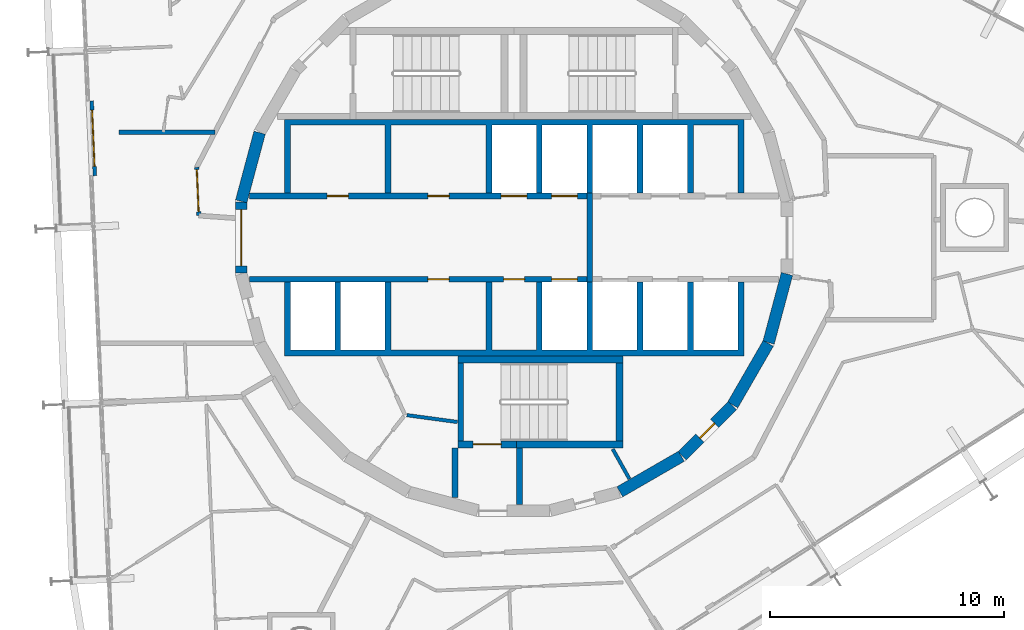
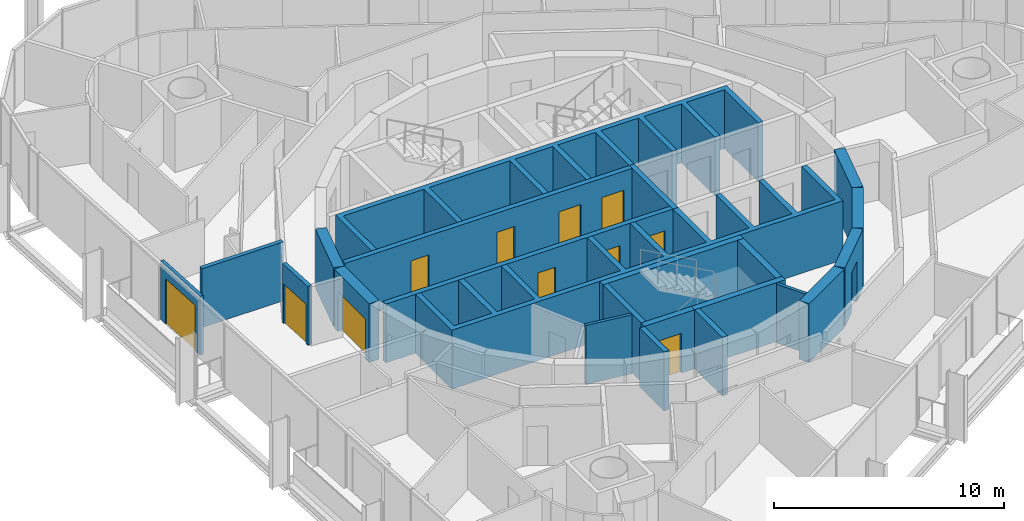
# One storey, part 13 of 18: 23 walls, 12 doors, 12 openings.
"""IFC4 building model written with IfcOpenShell, lengths in metres."""

from ifc_helpers import new_model, si_unit, direction, frame, frame_2d, origin, place, context, subcontext, project, spatial, polyline, rectangle, outline, extrude, material, layer, layer_set, type_object, element, fill, save


model = new_model("IFC4")

# Units and contexts
model_context = context("Model", 3, precision=1e-05, world=origin(), true_north=direction((0.0, 1.0)))
body_context = subcontext(model_context, "Body", "Model", "MODEL_VIEW")
ifc_project = project(units=[si_unit("LENGTHUNIT", "METRE"), si_unit("AREAUNIT", "SQUARE_METRE"), si_unit("VOLUMEUNIT", "CUBIC_METRE"), si_unit("PLANEANGLEUNIT", "RADIAN"), si_unit("MASSUNIT", "GRAM", prefix="KILO")], contexts=[model_context])

# Site, building, storey
site_placement = place(None, origin())
site = spatial("IfcSite", under=ifc_project, at=site_placement, CompositionType="ELEMENT")
building_placement = place(site_placement, origin())
building = spatial("IfcBuilding", under=site, at=building_placement, Name="Spindle Arch Residences", CompositionType="ELEMENT")
storey_placement = place(building_placement, frame((0.0, 0.0, 230.199951171875)))
storey = spatial("IfcBuildingStorey", under=building, at=storey_placement, Name="L58", CompositionType="ELEMENT", Elevation=230.199951171875)

# Wall
ifc_material_1 = material(Name="Concrete C50/60", Category="concrete")
ifc_layer_1 = layer(ifc_material_1, 0.5)
ifc_layer_set_1 = layer_set([ifc_layer_1], Name="Core outline wall 500")
wall_type_1 = type_object("IfcWallType", Name="Core outline wall 500", PredefinedType="SHEAR", material=ifc_layer_set_1)
wall_1_placement = place(storey_placement, frame((4.510498046875, -10.84521484375, 0.0), z_axis=(0.0, 0.0, 1.0), x_axis=(0.865975092491, 0.500087131594, 0.0)))
element("IfcWall", 1, at=wall_1_placement, inside=storey, type_object=wall_type_1, Name="Core outline wall 2", PredefinedType="SHEAR", context=body_context, shape_type="SweptSolid", body=[
    extrude(rectangle(XDim=3.03271484375, YDim=0.5, at=frame_2d((1.516357421875, 0.0))), origin(), (0.0, 0.0, 1.0), 3.1201171875),
])

# Wall, opening, door
wall_2_placement = place(storey_placement, frame((7.163818359375, -9.30810546875, 0.0), z_axis=(0.0, 0.0, 1.0), x_axis=(0.707106781187, 0.707106781187, 0.0)))
wall_2 = element("IfcWall", 2, at=wall_2_placement, inside=storey, type_object=wall_type_1, Name="Core outline wall 3", PredefinedType="SHEAR", context=body_context, shape_type="SweptSolid", body=[
    extrude(rectangle(XDim=3.032470703125, YDim=0.5, at=frame_2d((1.51611328125, 0.0))), origin(), (0.0, 0.0, 1.0), 3.1201171875),
])
opening_1_placement = place(wall_2_placement, frame((1.06640625, 0.0, 0.0)))
opening_1 = element("IfcOpeningElement", 3, at=opening_1_placement, cuts=wall_2, Name="Opening R6A1-WD08", PredefinedType="OPENING", context=body_context, shape_type="SweptSolid", body=[
    extrude(rectangle(XDim=0.89990234375, YDim=2.10009765625, at=frame_2d((0.449951171875, 1.050048828125))), frame((0.0, 0.260009765625, 0.0), z_axis=(0.0, -1.0, 0.0), x_axis=(1.0, 0.0, 0.0)), (0.0, 0.0, 1.0), 0.52001953125),
])
ifc_material_2 = material(Name="Steel, fire-resisting door", Category="steel")
door_type_1 = type_object("IfcDoorType", Name="Service room door 900x2100", OperationType="SINGLE_SWING_LEFT", PredefinedType="DOOR", material=ifc_material_2)
door_1_placement = place(opening_1_placement, origin())
door_1 = element("IfcDoor", 4, at=door_1_placement, inside=storey, type_object=door_type_1, Name="Service room door R6A1-WD08", OperationType="SINGLE_SWING_RIGHT", OverallHeight=2.10009765625, OverallWidth=0.89990234375, PredefinedType="DOOR", context=body_context, shape_type="SweptSolid", body=[
    extrude(rectangle(XDim=0.89990234375, YDim=2.10009765625, at=frame_2d((0.449951171875, 1.050048828125))), frame((0.0, 0.02490234375, 0.0), z_axis=(0.0, -1.0, 0.0), x_axis=(1.0, 0.0, 0.0)), (0.0, 0.0, 1.0), 0.050048828125),
])
fill(opening_1, door_1)

# Walls
for number, where, z_axis, x_axis, name in (
    (5, (9.32861328125, -7.13671875, 0.0), (0.0, 0.0, 1.0), (0.500087131594, 0.865975092491, 0.0), "Core outline wall 4"),
    (6, (10.858154296875, -4.479248046875, 0.0), (0.0, 0.0, 1.0), (0.258734743916, 0.965948410781, 0.0), "Core outline wall 5"),
    (7, (-10.858154296875, 4.479248046875, 0.0), (0.0, 0.0, 1.0), (-0.258734743916, -0.965948410781, 0.0), "Core outline wall 17"),
):
    element("IfcWall", number, at=place(storey_placement, frame(where, z_axis=z_axis, x_axis=x_axis)), inside=storey, type_object=wall_type_1, Name=name, PredefinedType="SHEAR", context=body_context, shape_type="SweptSolid", body=[
        extrude(rectangle(XDim=3.03271484375, YDim=0.5, at=frame_2d((1.516357421875, 0.0))), origin(), (0.0, 0.0, 1.0), 3.1201171875),
    ])

# Wall, opening, door
wall_3_placement = place(storey_placement, frame((-11.647216796875, 1.516357421875, 0.0), z_axis=(0.0, 0.0, 1.0), x_axis=(0.0, -1.0, 0.0)))
wall_3 = element("IfcWall", 8, at=wall_3_placement, inside=storey, type_object=wall_type_1, Name="Core outline wall 18", PredefinedType="SHEAR", context=body_context, shape_type="SweptSolid", body=[
    extrude(rectangle(XDim=3.03271484375, YDim=0.5, at=frame_2d((1.516357421875, 0.0))), origin(), (0.0, 0.0, 1.0), 3.1201171875),
])
opening_2_placement = place(wall_3_placement, frame((0.31640625, 0.0, 0.0)))
opening_2 = element("IfcOpeningElement", 9, at=opening_2_placement, cuts=wall_3, Name="Opening R6A1-LE01", PredefinedType="OPENING", context=body_context, shape_type="SweptSolid", body=[
    extrude(rectangle(XDim=2.39990234375, YDim=2.10009765625, at=frame_2d((1.199951171875, 1.050048828125))), frame((0.0, 0.260009765625, 0.0), z_axis=(0.0, -1.0, 0.0), x_axis=(1.0, 0.0, 0.0)), (0.0, 0.0, 1.0), 0.52001953125),
])
ifc_material_3 = material(Name="Steel, fire-resisting door", Category="steel")
door_type_2 = type_object("IfcDoorType", Name="Lift lobby entrance door 2400x2100", OperationType="DOUBLE_DOOR_SINGLE_SWING", PredefinedType="DOOR", material=ifc_material_3)
door_2_placement = place(opening_2_placement, origin())
door_2 = element("IfcDoor", 10, at=door_2_placement, inside=storey, type_object=door_type_2, Name="Lift lobby entrance door R6A1-LE01", OperationType="DOUBLE_DOOR_SINGLE_SWING", OverallHeight=2.10009765625, OverallWidth=2.39990234375, PredefinedType="DOOR", context=body_context, shape_type="SweptSolid", body=[
    extrude(rectangle(XDim=2.39990234375, YDim=2.10009765625, at=frame_2d((1.199951171875, 1.050048828125))), frame((0.0, 0.02490234375, 0.0), z_axis=(0.0, -1.0, 0.0), x_axis=(1.0, 0.0, 0.0)), (0.0, 0.0, 1.0), 0.050048828125),
])
fill(opening_2, door_2)

# Wall
ifc_material_4 = material(Name="Concrete C40/50", Category="concrete")
ifc_layer_2 = layer(ifc_material_4, 0.25)
ifc_layer_set_2 = layer_set([ifc_layer_2], Name="Fire-lift lobby wall 250")
wall_type_2 = type_object("IfcWallType", Name="Fire-lift lobby wall 250", PredefinedType="SHEAR", material=ifc_layer_set_2)
wall_4_placement = place(storey_placement, frame((3.22509765625, -1.89990234375, 0.0), z_axis=(0.0, 0.0, 1.0), x_axis=(0.0, 1.0, 0.0)))
element("IfcWall", 11, at=wall_4_placement, inside=storey, type_object=wall_type_2, Name="Fire-fighting lobby partition", PredefinedType="SHEAR", context=body_context, shape_type="SweptSolid", body=[
    extrude(rectangle(XDim=3.7998046875, YDim=0.25, at=frame_2d((1.89990234375, 0.0))), origin(), (0.0, 0.0, 1.0), 3.1201171875),
])

# Wall, opening, door
ifc_material_5 = material(Name="Non-combustible mineral wool insulated aluminium faced external wall (K0)", Category="aluminium")
ifc_layer_3 = layer(ifc_material_5, 0.159912109375)
ifc_layer_set_3 = layer_set([ifc_layer_3], Name="Insulated external wall panel 160")
wall_type_3 = type_object("IfcWallType", Name="Insulated external wall panel 160", PredefinedType="STANDARD", material=ifc_layer_set_3)
wall_5_placement = place(storey_placement, frame((-18.026123046875, 5.83935546875, 0.0), z_axis=(0.0, 0.0, 1.0), x_axis=(0.043563034632, -0.999050680403, 0.0)))
wall_5 = element("IfcWall", 12, at=wall_5_placement, inside=storey, type_object=wall_type_3, Name="External wall L58 bay 14", PredefinedType="STANDARD", context=body_context, shape_type="SweptSolid", body=[
    extrude(rectangle(XDim=3.199951171875, YDim=0.159912109375, at=frame_2d((1.60009765625, 0.0))), origin(), (0.0, 0.0, 1.0), 3.1201171875),
])
opening_3_placement = place(wall_5_placement, frame((0.39990234375, 0.0, 0.0)))
opening_3 = element("IfcOpeningElement", 13, at=opening_3_placement, cuts=wall_5, Name="Opening BD14", PredefinedType="OPENING", context=body_context, shape_type="SweptSolid", body=[
    extrude(rectangle(XDim=2.39990234375, YDim=2.39990234375, at=frame_2d((1.199951171875, 1.199951171875))), frame((0.0, 0.08984375, 0.0), z_axis=(0.0, -1.0, 0.0), x_axis=(1.0, 0.0, 0.0)), (0.0, 0.0, 1.0), 0.179931640625),
])
ifc_material_6 = material(Name="Bronze aluminium frame, tinted double glazing", Category="aluminium")
door_type_3 = type_object("IfcDoorType", Name="Sliding glazed balcony door 2400x2400", OperationType="DOUBLE_DOOR_SLIDING", PredefinedType="DOOR", material=ifc_material_6)
door_3_placement = place(opening_3_placement, origin())
door_3 = element("IfcDoor", 14, at=door_3_placement, inside=storey, type_object=door_type_3, Name="Balcony door BD14", OperationType="DOUBLE_DOOR_SLIDING", OverallHeight=2.39990234375, OverallWidth=2.39990234375, PredefinedType="DOOR", context=body_context, shape_type="SweptSolid", body=[
    extrude(rectangle(XDim=2.39990234375, YDim=2.39990234375, at=frame_2d((1.199951171875, 1.199951171875))), frame((0.0, 0.02490234375, 0.0), z_axis=(0.0, -1.0, 0.0), x_axis=(1.0, 0.0, 0.0)), (0.0, 0.0, 1.0), 0.050048828125),
])
fill(opening_3, door_3)

ifc_material_7 = material(Name="Calcium silicate block, plastered")
ifc_layer_4 = layer(ifc_material_7, 0.199951171875)
ifc_layer_set_4 = layer_set([ifc_layer_4], Name="Lift lobby bay wall 200")
wall_type_4 = type_object("IfcWallType", Name="Lift lobby bay wall 200", PredefinedType="STANDARD", material=ifc_layer_set_4)
wall_6_placement = place(storey_placement, frame((-13.5439453125, 3.002685546875, 0.0), z_axis=(0.0, 0.0, 1.0), x_axis=(0.043652842459, -0.99904676034, 0.0)))
wall_6 = element("IfcWall", 15, at=wall_6_placement, inside=storey, type_object=wall_type_4, Name="Lift lobby bay wall R6A1-W008", PredefinedType="STANDARD", context=body_context, shape_type="SweptSolid", body=[
    extrude(rectangle(XDim=2.063720703125, YDim=0.199951171875, at=frame_2d((1.03173828125, 0.0))), origin(), (0.0, 0.0, 1.0), 3.1201171875),
])
opening_4_placement = place(wall_6_placement, frame((0.10009765625, 0.0, 0.0)))
opening_4 = element("IfcOpeningElement", 16, at=opening_4_placement, cuts=wall_6, Name="Opening R6A1-LB01", PredefinedType="OPENING", context=body_context, shape_type="SweptSolid", body=[
    extrude(rectangle(XDim=1.800048828125, YDim=2.10009765625, at=frame_2d((0.89990234375, 1.050048828125))), frame((0.0, 0.10986328125, 0.0), z_axis=(0.0, -1.0, 0.0), x_axis=(1.0, 0.0, 0.0)), (0.0, 0.0, 1.0), 0.219970703125),
])
ifc_material_8 = material(Name="Steel, fire-resisting door", Category="steel")
door_type_4 = type_object("IfcDoorType", Name="Lift lobby bay door 1800x2100", OperationType="NOTDEFINED", PredefinedType="DOOR", material=ifc_material_8)
door_4_placement = place(opening_4_placement, origin())
door_4 = element("IfcDoor", 17, at=door_4_placement, inside=storey, type_object=door_type_4, Name="Lift lobby bay door R6A1-LB01", OperationType="DOUBLE_DOOR_SINGLE_SWING", OverallHeight=2.10009765625, OverallWidth=1.800048828125, PredefinedType="DOOR", context=body_context, shape_type="SweptSolid", body=[
    extrude(rectangle(XDim=1.800048828125, YDim=2.10009765625, at=frame_2d((0.89990234375, 1.050048828125))), frame((0.0, 0.02490234375, 0.0), z_axis=(0.0, -1.0, 0.0), x_axis=(1.0, 0.0, 0.0)), (0.0, 0.0, 1.0), 0.050048828125),
])
fill(opening_4, door_4)

# Wall
wall_7_placement = place(storey_placement, frame((-12.764404296875, 4.5, 0.0), z_axis=(0.0, 0.0, 1.0), x_axis=(-1.0, 0.0, 0.0)))
element("IfcWall", 18, at=wall_7_placement, inside=storey, type_object=wall_type_4, Name="Lift lobby bay wall R6A1-W022", PredefinedType="STANDARD", context=body_context, shape_type="SweptSolid", body=[
    extrude(rectangle(XDim=4.085693359375, YDim=0.199951171875, at=frame_2d((2.04296875, 0.0))), origin(), (0.0, 0.0, 1.0), 3.1201171875),
])

# Wall, openings, doors
ifc_material_9 = material(Name="Concrete C50/60", Category="concrete")
ifc_layer_5 = layer(ifc_material_9, 0.25)
ifc_layer_set_5 = layer_set([ifc_layer_5], Name="Lift shaft wall 250")
wall_type_5 = type_object("IfcWallType", Name="Lift shaft wall 250", PredefinedType="SHEAR", material=ifc_layer_set_5)
wall_8_placement = place(storey_placement, frame((-11.280029296875, 1.77490234375, 0.0), z_axis=(0.0, 0.0, 1.0), x_axis=(1.0, 0.0, 0.0)))
wall_8 = element("IfcWall", 19, at=wall_8_placement, inside=storey, type_object=wall_type_5, Name="Lift shaft front wall NW", PredefinedType="SHEAR", context=body_context, shape_type="SweptSolid", body=[
    extrude(rectangle(XDim=14.380126953125, YDim=0.25, at=frame_2d((7.18994140625, 0.0))), origin(), (0.0, 0.0, 1.0), 3.1201171875),
])
opening_5_placement = place(wall_8_placement, frame((10.72998046875, 0.0, 0.0)))
opening_5 = element("IfcOpeningElement", 20, at=opening_5_placement, cuts=wall_8, Name="Opening R6A1-LD01", PredefinedType="OPENING", context=body_context, shape_type="SweptSolid", body=[
    extrude(rectangle(XDim=1.10009765625, YDim=2.10009765625, at=frame_2d((0.550048828125, 1.050048828125))), frame((0.0, 0.135009765625, 0.0), z_axis=(0.0, -1.0, 0.0), x_axis=(1.0, 0.0, 0.0)), (0.0, 0.0, 1.0), 0.27001953125),
])
opening_6_placement = place(wall_8_placement, frame((12.8798828125, 0.0, 0.0)))
opening_6 = element("IfcOpeningElement", 21, at=opening_6_placement, cuts=wall_8, Name="Opening R6A1-LD02", PredefinedType="OPENING", context=body_context, shape_type="SweptSolid", body=[
    extrude(rectangle(XDim=1.10009765625, YDim=2.10009765625, at=frame_2d((0.550048828125, 1.050048828125))), frame((0.0, 0.135009765625, 0.0), z_axis=(0.0, -1.0, 0.0), x_axis=(1.0, 0.0, 0.0)), (0.0, 0.0, 1.0), 0.27001953125),
])
opening_7_placement = place(wall_8_placement, frame((3.304931640625, 0.0, 0.0)))
opening_7 = element("IfcOpeningElement", 22, at=opening_7_placement, cuts=wall_8, Name="Opening R6A1-WD01", PredefinedType="OPENING", context=body_context, shape_type="SweptSolid", body=[
    extrude(rectangle(XDim=0.89990234375, YDim=2.10009765625, at=frame_2d((0.449951171875, 1.050048828125))), frame((0.0, 0.135009765625, 0.0), z_axis=(0.0, -1.0, 0.0), x_axis=(1.0, 0.0, 0.0)), (0.0, 0.0, 1.0), 0.27001953125),
])
opening_8_placement = place(wall_8_placement, frame((7.60498046875, 0.0, 0.0)))
opening_8 = element("IfcOpeningElement", 23, at=opening_8_placement, cuts=wall_8, Name="Opening R6A1-WD02", PredefinedType="OPENING", context=body_context, shape_type="SweptSolid", body=[
    extrude(rectangle(XDim=0.89990234375, YDim=2.10009765625, at=frame_2d((0.449951171875, 1.050048828125))), frame((0.0, 0.135009765625, 0.0), z_axis=(0.0, -1.0, 0.0), x_axis=(1.0, 0.0, 0.0)), (0.0, 0.0, 1.0), 0.27001953125),
])
ifc_material_10 = material(Name="Steel, fire-resisting landing door", Category="steel")
door_type_5 = type_object("IfcDoorType", Name="Lift landing door 1100x2100", OperationType="DOUBLE_DOOR_SLIDING", PredefinedType="DOOR", material=ifc_material_10)
door_5_placement = place(opening_5_placement, origin())
door_5 = element("IfcDoor", 24, at=door_5_placement, inside=storey, type_object=door_type_5, Name="Lift landing door R6A1-LD01", OperationType="DOUBLE_DOOR_SLIDING", OverallHeight=2.10009765625, OverallWidth=1.10009765625, PredefinedType="DOOR", context=body_context, shape_type="SweptSolid", body=[
    extrude(rectangle(XDim=1.10009765625, YDim=2.10009765625, at=frame_2d((0.550048828125, 1.050048828125))), frame((0.0, 0.02490234375, 0.0), z_axis=(0.0, -1.0, 0.0), x_axis=(1.0, 0.0, 0.0)), (0.0, 0.0, 1.0), 0.050048828125),
])
fill(opening_5, door_5)
door_6_placement = place(opening_6_placement, origin())
door_6 = element("IfcDoor", 25, at=door_6_placement, inside=storey, type_object=door_type_5, Name="Lift landing door R6A1-LD02", OperationType="DOUBLE_DOOR_SLIDING", OverallHeight=2.10009765625, OverallWidth=1.10009765625, PredefinedType="DOOR", context=body_context, shape_type="SweptSolid", body=[
    extrude(rectangle(XDim=1.10009765625, YDim=2.10009765625, at=frame_2d((0.550048828125, 1.050048828125))), frame((0.0, 0.02490234375, 0.0), z_axis=(0.0, -1.0, 0.0), x_axis=(1.0, 0.0, 0.0)), (0.0, 0.0, 1.0), 0.050048828125),
])
fill(opening_6, door_6)
door_7_placement = place(opening_7_placement, origin())
door_7 = element("IfcDoor", 26, at=door_7_placement, inside=storey, type_object=door_type_1, Name="Service room door R6A1-WD01", OperationType="SINGLE_SWING_LEFT", OverallHeight=2.10009765625, OverallWidth=0.89990234375, PredefinedType="DOOR", context=body_context, shape_type="SweptSolid", body=[
    extrude(rectangle(XDim=0.89990234375, YDim=2.10009765625, at=frame_2d((0.449951171875, 1.050048828125))), frame((0.0, 0.02490234375, 0.0), z_axis=(0.0, -1.0, 0.0), x_axis=(1.0, 0.0, 0.0)), (0.0, 0.0, 1.0), 0.050048828125),
])
fill(opening_7, door_7)
door_8_placement = place(opening_8_placement, origin())
door_8 = element("IfcDoor", 27, at=door_8_placement, inside=storey, type_object=door_type_1, Name="Service room door R6A1-WD02", OperationType="SINGLE_SWING_RIGHT", OverallHeight=2.10009765625, OverallWidth=0.89990234375, PredefinedType="DOOR", context=body_context, shape_type="SweptSolid", body=[
    extrude(rectangle(XDim=0.89990234375, YDim=2.10009765625, at=frame_2d((0.449951171875, 1.050048828125))), frame((0.0, 0.02490234375, 0.0), z_axis=(0.0, -1.0, 0.0), x_axis=(1.0, 0.0, 0.0)), (0.0, 0.0, 1.0), 0.050048828125),
])
fill(opening_8, door_8)

wall_9_placement = place(storey_placement, frame((-11.280029296875, -1.77490234375, 0.0), z_axis=(0.0, 0.0, 1.0), x_axis=(1.0, 0.0, 0.0)))
wall_9 = element("IfcWall", 28, at=wall_9_placement, inside=storey, type_object=wall_type_5, Name="Lift shaft front wall SW", PredefinedType="SHEAR", context=body_context, shape_type="SweptSolid", body=[
    extrude(rectangle(XDim=14.380126953125, YDim=0.25, at=frame_2d((7.18994140625, 0.0))), origin(), (0.0, 0.0, 1.0), 3.1201171875),
])
opening_9_placement = place(wall_9_placement, frame((12.8798828125, 0.0, 0.0)))
opening_9 = element("IfcOpeningElement", 29, at=opening_9_placement, cuts=wall_9, Name="Opening R6A1-LD03", PredefinedType="OPENING", context=body_context, shape_type="SweptSolid", body=[
    extrude(rectangle(XDim=1.10009765625, YDim=2.10009765625, at=frame_2d((0.550048828125, 1.050048828125))), frame((0.0, 0.135009765625, 0.0), z_axis=(0.0, -1.0, 0.0), x_axis=(1.0, 0.0, 0.0)), (0.0, 0.0, 1.0), 0.27001953125),
])
opening_10_placement = place(wall_9_placement, frame((7.60498046875, 0.0, 0.0)))
opening_10 = element("IfcOpeningElement", 30, at=opening_10_placement, cuts=wall_9, Name="Opening R6A1-WD04", PredefinedType="OPENING", context=body_context, shape_type="SweptSolid", body=[
    extrude(rectangle(XDim=0.89990234375, YDim=2.10009765625, at=frame_2d((0.449951171875, 1.050048828125))), frame((0.0, 0.135009765625, 0.0), z_axis=(0.0, -1.0, 0.0), x_axis=(1.0, 0.0, 0.0)), (0.0, 0.0, 1.0), 0.27001953125),
])
opening_11_placement = place(wall_9_placement, frame((10.830078125, 0.0, 0.0)))
opening_11 = element("IfcOpeningElement", 31, at=opening_11_placement, cuts=wall_9, Name="Opening R6A1-WD05", PredefinedType="OPENING", context=body_context, shape_type="SweptSolid", body=[
    extrude(rectangle(XDim=0.89990234375, YDim=2.10009765625, at=frame_2d((0.449951171875, 1.050048828125))), frame((0.0, 0.135009765625, 0.0), z_axis=(0.0, -1.0, 0.0), x_axis=(1.0, 0.0, 0.0)), (0.0, 0.0, 1.0), 0.27001953125),
])
door_9_placement = place(opening_9_placement, origin())
door_9 = element("IfcDoor", 32, at=door_9_placement, inside=storey, type_object=door_type_5, Name="Lift landing door R6A1-LD03", OperationType="DOUBLE_DOOR_SLIDING", OverallHeight=2.10009765625, OverallWidth=1.10009765625, PredefinedType="DOOR", context=body_context, shape_type="SweptSolid", body=[
    extrude(rectangle(XDim=1.10009765625, YDim=2.10009765625, at=frame_2d((0.550048828125, 1.050048828125))), frame((0.0, 0.02490234375, 0.0), z_axis=(0.0, -1.0, 0.0), x_axis=(1.0, 0.0, 0.0)), (0.0, 0.0, 1.0), 0.050048828125),
])
fill(opening_9, door_9)
door_10_placement = place(opening_10_placement, origin())
door_10 = element("IfcDoor", 33, at=door_10_placement, inside=storey, type_object=door_type_1, Name="Service room door R6A1-WD04", OperationType="SINGLE_SWING_RIGHT", OverallHeight=2.10009765625, OverallWidth=0.89990234375, PredefinedType="DOOR", context=body_context, shape_type="SweptSolid", body=[
    extrude(rectangle(XDim=0.89990234375, YDim=2.10009765625, at=frame_2d((0.449951171875, 1.050048828125))), frame((0.0, 0.02490234375, 0.0), z_axis=(0.0, -1.0, 0.0), x_axis=(1.0, 0.0, 0.0)), (0.0, 0.0, 1.0), 0.050048828125),
])
fill(opening_10, door_10)
door_11_placement = place(opening_11_placement, origin())
door_11 = element("IfcDoor", 34, at=door_11_placement, inside=storey, type_object=door_type_1, Name="Service room door R6A1-WD05", OperationType="SINGLE_SWING_LEFT", OverallHeight=2.10009765625, OverallWidth=0.89990234375, PredefinedType="DOOR", context=body_context, shape_type="SweptSolid", body=[
    extrude(rectangle(XDim=0.89990234375, YDim=2.10009765625, at=frame_2d((0.449951171875, 1.050048828125))), frame((0.0, 0.02490234375, 0.0), z_axis=(0.0, -1.0, 0.0), x_axis=(1.0, 0.0, 0.0)), (0.0, 0.0, 1.0), 0.050048828125),
])
fill(opening_11, door_11)

# Walls
ifc_material_11 = material(Name="Concrete C50/60", Category="concrete")
wall_type_6 = type_object("IfcWallType", Name="Lift shaft wall profile", PredefinedType="SHEAR", material=ifc_material_11)
wall_10_placement = place(storey_placement, origin())
element("IfcWall", 35, at=wall_10_placement, inside=storey, type_object=wall_type_6, Name="Lift shaft walls N", PredefinedType="SHEAR", context=body_context, shape_type="SweptSolid", body=[
    extrude(outline(polyline([(-9.550048828125, 4.800048828125), (-5.5, 4.800048828125), (-5.5, 1.89990234375), (-5.25, 1.89990234375), (-5.25, 4.800048828125), (-1.199951171875, 4.800048828125), (-1.199951171875, 1.89990234375), (-0.949951171875, 1.89990234375), (-0.949951171875, 4.800048828125), (0.949951171875, 4.800048828125), (0.949951171875, 1.89990234375), (1.199951171875, 1.89990234375), (1.199951171875, 4.800048828125), (3.10009765625, 4.800048828125), (3.10009765625, 1.89990234375), (3.35009765625, 1.89990234375), (3.35009765625, 4.800048828125), (5.25, 4.800048828125), (5.25, 1.89990234375), (5.5, 1.89990234375), (5.5, 4.800048828125), (7.39990234375, 4.800048828125), (7.39990234375, 1.89990234375), (7.64990234375, 1.89990234375), (7.64990234375, 4.800048828125), (9.550048828125, 4.800048828125), (9.550048828125, 1.89990234375), (9.800048828125, 1.89990234375), (9.800048828125, 4.800048828125), (9.800048828125, 5.050048828125), (-9.800048828125, 5.050048828125), (-9.800048828125, 4.800048828125), (-9.800048828125, 1.89990234375), (-9.550048828125, 1.89990234375), (-9.550048828125, 4.800048828125)])), origin(), (0.0, 0.0, 1.0), 3.1201171875),
])
wall_11_placement = place(storey_placement, origin())
element("IfcWall", 36, at=wall_11_placement, inside=storey, type_object=wall_type_6, Name="Lift shaft walls S", PredefinedType="SHEAR", context=body_context, shape_type="SweptSolid", body=[
    extrude(outline(polyline([(9.800048828125, -5.050048828125), (9.800048828125, -4.800048828125), (9.800048828125, -1.89990234375), (9.550048828125, -1.89990234375), (9.550048828125, -4.800048828125), (7.64990234375, -4.800048828125), (7.64990234375, -1.89990234375), (7.39990234375, -1.89990234375), (7.39990234375, -4.800048828125), (5.5, -4.800048828125), (5.5, -1.89990234375), (5.25, -1.89990234375), (5.25, -4.800048828125), (3.35009765625, -4.800048828125), (3.35009765625, -1.89990234375), (3.10009765625, -1.89990234375), (3.10009765625, -4.800048828125), (1.199951171875, -4.800048828125), (1.199951171875, -1.89990234375), (0.949951171875, -1.89990234375), (0.949951171875, -4.800048828125), (-0.949951171875, -4.800048828125), (-0.949951171875, -1.89990234375), (-1.199951171875, -1.89990234375), (-1.199951171875, -4.800048828125), (-5.25, -4.800048828125), (-5.25, -1.89990234375), (-5.5, -1.89990234375), (-5.5, -4.800048828125), (-7.39990234375, -4.800048828125), (-7.39990234375, -1.89990234375), (-7.64990234375, -1.89990234375), (-7.64990234375, -4.800048828125), (-9.550048828125, -4.800048828125), (-9.550048828125, -1.89990234375), (-9.800048828125, -1.89990234375), (-9.800048828125, -4.800048828125), (-9.800048828125, -5.050048828125), (9.800048828125, -5.050048828125)])), origin(), (0.0, 0.0, 1.0), 3.1201171875),
])
ifc_material_12 = material(Name="Concrete C25/30", Category="concrete")
ifc_layer_6 = layer(ifc_material_12, 0.14990234375)
ifc_layer_set_6 = layer_set([ifc_layer_6], Name="Service room partition 150")
wall_type_7 = type_object("IfcWallType", Name="Service room partition 150", PredefinedType="PARTITIONING", material=ifc_layer_set_6)
wall_12_placement = place(storey_placement, frame((4.922119140625, -10.295654296875, 0.0), z_axis=(0.0, 0.0, 1.0), x_axis=(-0.48860846254, 0.872503163509, 0.0)))
element("IfcWall", 37, at=wall_12_placement, inside=storey, type_object=wall_type_7, Name="Core service room partition", PredefinedType="PARTITIONING", context=body_context, shape_type="SweptSolid", body=[
    extrude(rectangle(XDim=1.45947265625, YDim=0.14990234375, at=frame_2d((0.729736328125, 0.0))), origin(), (0.0, 0.0, 1.0), 3.1201171875),
])
wall_13_placement = place(storey_placement, frame((-2.419921875, -7.865234375, 0.0), z_axis=(0.0, 0.0, 1.0), x_axis=(-0.990972299108, 0.134066783362, 0.0)))
element("IfcWall", 38, at=wall_13_placement, inside=storey, type_object=wall_type_7, Name="Core service room partition", PredefinedType="PARTITIONING", context=body_context, shape_type="SweptSolid", body=[
    extrude(rectangle(XDim=2.176025390625, YDim=0.14990234375, at=frame_2d((1.087890625, 0.0))), origin(), (0.0, 0.0, 1.0), 3.1201171875),
])
ifc_material_13 = material(Name="Concrete C40/50", Category="concrete")
ifc_layer_7 = layer(ifc_material_13, 0.25)
ifc_layer_set_7 = layer_set([ifc_layer_7], Name="Stair airlock wall 250")
wall_type_8 = type_object("IfcWallType", Name="Stair airlock wall 250", PredefinedType="SHEAR", material=ifc_layer_set_7)
wall_14_placement = place(storey_placement, frame((-2.52490234375, -8.969970703125, 0.0), z_axis=(0.0, 0.0, 1.0), x_axis=(0.0, -1.0, 0.0)))
element("IfcWall", 39, at=wall_14_placement, inside=storey, type_object=wall_type_8, Name="Stair ST-3 airlock wall W", PredefinedType="SHEAR", context=body_context, shape_type="SweptSolid", body=[
    extrude(rectangle(XDim=2.110107421875, YDim=0.25, at=frame_2d((1.05517578125, 0.0))), origin(), (0.0, 0.0, 1.0), 3.1201171875),
])
wall_15_placement = place(storey_placement, frame((0.22509765625, -8.969970703125, 0.0), z_axis=(0.0, 0.0, 1.0), x_axis=(0.0, -1.0, 0.0)))
element("IfcWall", 40, at=wall_15_placement, inside=storey, type_object=wall_type_8, Name="Stair ST-3 airlock wall E", PredefinedType="SHEAR", context=body_context, shape_type="SweptSolid", body=[
    extrude(rectangle(XDim=2.409912109375, YDim=0.25, at=frame_2d((1.205078125, 0.0))), origin(), (0.0, 0.0, 1.0), 3.1201171875),
])
ifc_material_14 = material(Name="Concrete C50/60", Category="concrete")
ifc_layer_8 = layer(ifc_material_14, 0.25)
ifc_layer_set_8 = layer_set([ifc_layer_8], Name="Stair enclosure wall 250")
wall_type_9 = type_object("IfcWallType", Name="Stair enclosure wall 250", PredefinedType="SHEAR", material=ifc_layer_set_8)
wall_16_placement = place(storey_placement, frame((-2.27490234375, -8.669921875, 0.0), z_axis=(0.0, 0.0, 1.0), x_axis=(0.0, 1.0, 0.0)))
element("IfcWall", 41, at=wall_16_placement, inside=storey, type_object=wall_type_9, Name="Stair ST-3 enclosure wall W", PredefinedType="SHEAR", context=body_context, shape_type="SweptSolid", body=[
    extrude(rectangle(XDim=3.31982421875, YDim=0.25, at=frame_2d((1.659912109375, 0.0))), origin(), (0.0, 0.0, 1.0), 3.1201171875),
])
ifc_material_15 = material(Name="Concrete C50/60", Category="concrete")
ifc_layer_9 = layer(ifc_material_15, 0.300048828125)
ifc_layer_set_9 = layer_set([ifc_layer_9], Name="Stair enclosure wall 300")
wall_type_10 = type_object("IfcWallType", Name="Stair enclosure wall 300", PredefinedType="SHEAR", material=ifc_layer_set_9)
wall_17_placement = place(storey_placement, frame((-2.39990234375, -5.199951171875, 0.0), z_axis=(0.0, 0.0, 1.0), x_axis=(1.0, 0.0, 0.0)))
element("IfcWall", 42, at=wall_17_placement, inside=storey, type_object=wall_type_10, Name="Stair ST-3 enclosure wall N", PredefinedType="SHEAR", context=body_context, shape_type="SweptSolid", body=[
    extrude(rectangle(XDim=7.0498046875, YDim=0.300048828125, at=frame_2d((3.52490234375, 0.0))), origin(), (0.0, 0.0, 1.0), 3.1201171875),
])
wall_18_placement = place(storey_placement, frame((4.5, -8.669921875, 0.0), z_axis=(0.0, 0.0, 1.0), x_axis=(0.0, 1.0, 0.0)))
element("IfcWall", 43, at=wall_18_placement, inside=storey, type_object=wall_type_10, Name="Stair ST-3 enclosure wall E", PredefinedType="SHEAR", context=body_context, shape_type="SweptSolid", body=[
    extrude(rectangle(XDim=3.31982421875, YDim=0.300048828125, at=frame_2d((1.659912109375, 0.0))), origin(), (0.0, 0.0, 1.0), 3.1201171875),
])
wall_19_placement = place(storey_placement, frame((0.10009765625, -8.820068359375, 0.0), z_axis=(0.0, 0.0, 1.0), x_axis=(1.0, 0.0, 0.0)))
element("IfcWall", 44, at=wall_19_placement, inside=storey, type_object=wall_type_10, Name="Stair ST-3 enclosure wall S", PredefinedType="SHEAR", context=body_context, shape_type="SweptSolid", body=[
    extrude(rectangle(XDim=4.5498046875, YDim=0.300048828125, at=frame_2d((2.27490234375, 0.0))), origin(), (0.0, 0.0, 1.0), 3.1201171875),
])

# Wall, opening, door
wall_20_placement = place(storey_placement, frame((-2.39990234375, -8.820068359375, 0.0), z_axis=(0.0, 0.0, 1.0), x_axis=(1.0, 0.0, 0.0)))
wall_20 = element("IfcWall", 45, at=wall_20_placement, inside=storey, type_object=wall_type_10, Name="Stair ST-3 door wall", PredefinedType="SHEAR", context=body_context, shape_type="SweptSolid", body=[
    extrude(rectangle(XDim=2.5, YDim=0.300048828125, at=frame_2d((1.25, 0.0))), origin(), (0.0, 0.0, 1.0), 3.1201171875),
])
opening_12_placement = place(wall_20_placement, frame((0.64990234375, 0.0, 0.0)))
opening_12 = element("IfcOpeningElement", 46, at=opening_12_placement, cuts=wall_20, Name="Opening R6A1-SD03", PredefinedType="OPENING", context=body_context, shape_type="SweptSolid", body=[
    extrude(rectangle(XDim=1.199951171875, YDim=2.10009765625, at=frame_2d((0.60009765625, 1.050048828125))), frame((0.0, 0.16015625, 0.0), z_axis=(0.0, -1.0, 0.0), x_axis=(1.0, 0.0, 0.0)), (0.0, 0.0, 1.0), 0.320068359375),
])
ifc_material_16 = material(Name="Steel, fire-resisting door", Category="steel")
door_type_6 = type_object("IfcDoorType", Name="Stair door 1200x2100", OperationType="SINGLE_SWING_RIGHT", PredefinedType="DOOR", material=ifc_material_16)
door_12_placement = place(opening_12_placement, origin())
door_12 = element("IfcDoor", 47, at=door_12_placement, inside=storey, type_object=door_type_6, Name="Stair door R6A1-SD03", OperationType="SINGLE_SWING_LEFT", OverallHeight=2.10009765625, OverallWidth=1.199951171875, PredefinedType="DOOR", context=body_context, shape_type="SweptSolid", body=[
    extrude(rectangle(XDim=1.199951171875, YDim=2.10009765625, at=frame_2d((0.60009765625, 1.050048828125))), frame((0.0, 0.02490234375, 0.0), z_axis=(0.0, -1.0, 0.0), x_axis=(1.0, 0.0, 0.0)), (0.0, 0.0, 1.0), 0.050048828125),
])
fill(opening_12, door_12)

save(model, "model.ifc")
